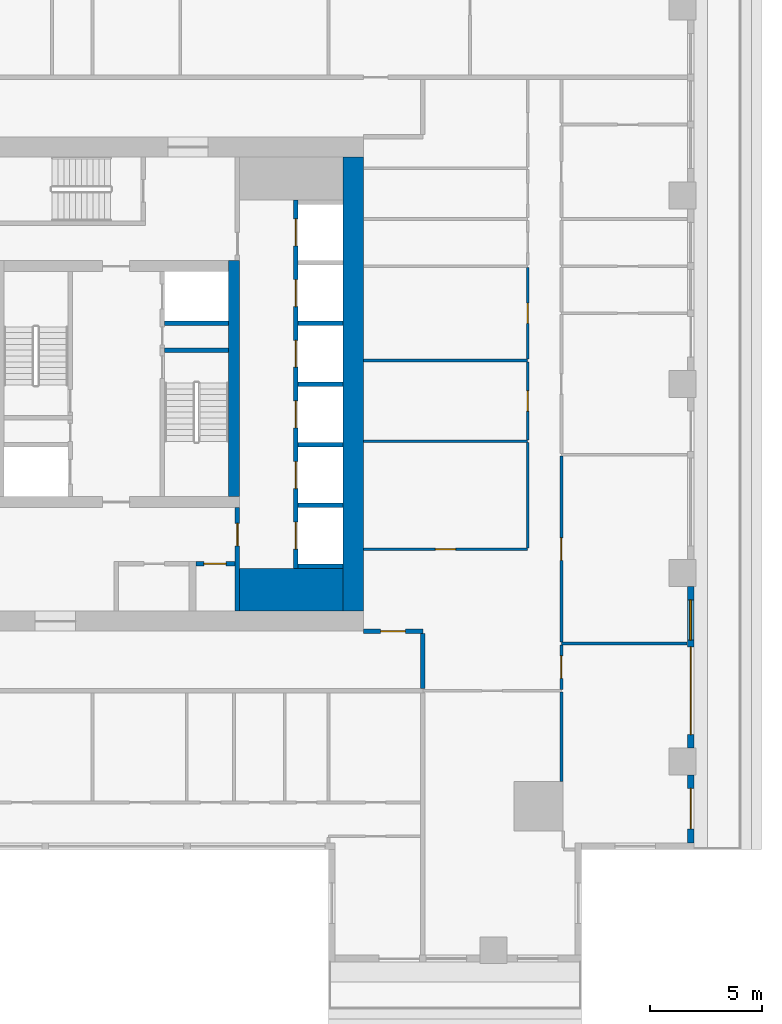
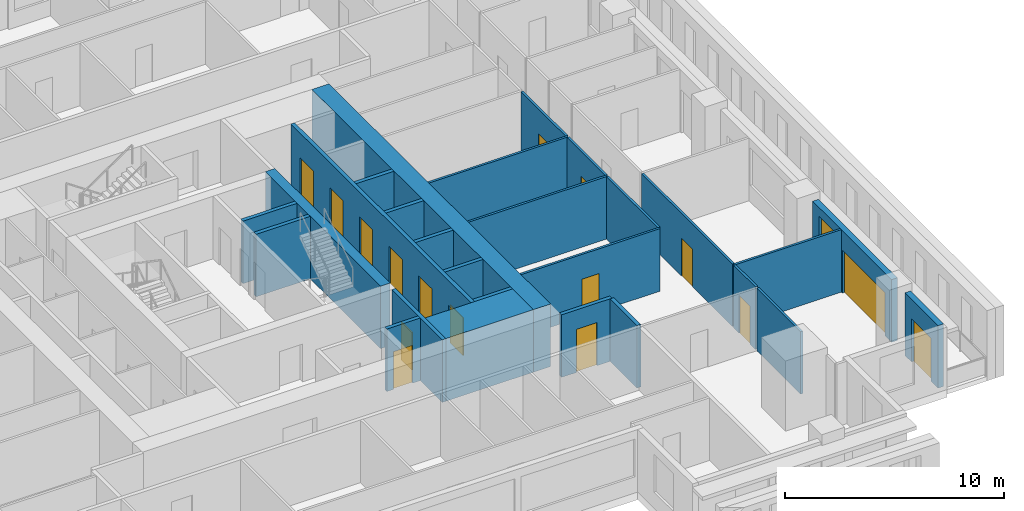
# One storey, part 5 of 14: 27 walls, 16 doors, 1 window, 17 openings.
"""IFC4 building model written with IfcOpenShell, lengths in metres."""

from ifc_helpers import new_model, si_unit, direction, frame, frame_2d, origin, place, context, subcontext, project, spatial, rectangle, extrude, material, layer, layer_set, type_object, element, fill, save


model = new_model("IFC4")

# Units and contexts
model_context = context("Model", 3, precision=1e-05, world=origin(), true_north=direction((0.0, 1.0)))
body_context = subcontext(model_context, "Body", "Model", "MODEL_VIEW")
ifc_project = project(units=[si_unit("LENGTHUNIT", "METRE"), si_unit("AREAUNIT", "SQUARE_METRE"), si_unit("VOLUMEUNIT", "CUBIC_METRE"), si_unit("PLANEANGLEUNIT", "RADIAN"), si_unit("MASSUNIT", "GRAM", prefix="KILO")], contexts=[model_context])

# Site, building, storey
site_placement = place(None, origin())
site = spatial("IfcSite", under=ifc_project, at=site_placement, CompositionType="ELEMENT")
building_placement = place(site_placement, origin())
building = spatial("IfcBuilding", under=site, at=building_placement, Name="Khepri Terraces", CompositionType="ELEMENT")
storey_placement = place(building_placement, frame((0.0, 0.0, 267.89990234375)))
storey = spatial("IfcBuildingStorey", under=building, at=storey_placement, Name="L64", CompositionType="ELEMENT", Elevation=267.89990234375)

# Walls
ifc_material_1 = material(Name="Concrete C40/50", Category="concrete")
ifc_layer_1 = layer(ifc_material_1, 1.89990234375, Name="Concrete C40/50", Category="concrete")
ifc_layer_set_1 = layer_set([ifc_layer_1], Name="Concrete C40/50")
wall_type_1 = type_object("IfcWallType", Name="Core wall 1900 C40/50", PredefinedType="SHEAR", material=ifc_layer_set_1)
wall_1_placement = place(storey_placement, frame((5.5, -9.14990234375, 0.0), z_axis=(0.0, 0.0, 1.0), x_axis=(1.0, 0.0, 0.0)))
element("IfcWall", 1, at=wall_1_placement, inside=storey, type_object=wall_type_1, Name="Core wall PR02 L64", PredefinedType="SHEAR", context=body_context, shape_type="SweptSolid", body=[
    extrude(rectangle(XDim=4.60009765625, YDim=1.89990234375, at=frame_2d((2.300048828125, 0.0))), origin(), (0.0, 0.0, 1.0), 3.47998046875),
])
ifc_layer_2 = layer(ifc_material_1, 0.199951171875, Name="Concrete C40/50", Category="concrete")
ifc_layer_set_2 = layer_set([ifc_layer_2], Name="Concrete C40/50")
wall_type_2 = type_object("IfcWallType", Name="Core wall 200 C40/50", PredefinedType="SHEAR", material=ifc_layer_set_2)
wall_2_placement = place(storey_placement, frame((2.14990234375, 1.5, 0.0), z_axis=(0.0, 0.0, 1.0), x_axis=(1.0, 0.0, 0.0)))
element("IfcWall", 2, at=wall_2_placement, inside=storey, type_object=wall_type_2, Name="Core wall ST04 L64", PredefinedType="SHEAR", context=body_context, shape_type="SweptSolid", body=[
    extrude(rectangle(XDim=2.85009765625, YDim=0.199951171875, at=frame_2d((1.425048828125, 0.0))), origin(), (0.0, 0.0, 1.0), 3.47998046875),
])

# Wall, openings, doors
wall_3_placement = place(storey_placement, frame((8.0, -8.199951171875, 0.0), z_axis=(0.0, 0.0, 1.0), x_axis=(0.0, 1.0, 0.0)))
wall_3 = element("IfcWall", 3, at=wall_3_placement, inside=storey, type_object=wall_type_2, Name="Core wall SH02 L64", PredefinedType="SHEAR", context=body_context, shape_type="SweptSolid", body=[
    extrude(rectangle(XDim=16.39990234375, YDim=0.199951171875, at=frame_2d((8.199951171875, 0.0))), origin(), (0.0, 0.0, 1.0), 3.47998046875),
])
opening_1_placement = place(wall_3_placement, frame((0.85009765625, 0.0, 0.0)))
opening_1 = element("IfcOpeningElement", 4, at=opening_1_placement, cuts=wall_3, Name="Opening L64-C01", PredefinedType="OPENING", context=body_context, shape_type="SweptSolid", body=[
    extrude(rectangle(XDim=1.199951171875, YDim=2.10009765625, at=frame_2d((0.60009765625, 1.050048828125))), frame((0.0, 0.10986328125, 0.0), z_axis=(0.0, -1.0, 0.0), x_axis=(1.0, 0.0, 0.0)), (0.0, 0.0, 1.0), 0.219970703125),
])
opening_2_placement = place(wall_3_placement, frame((3.550048828125, 0.0, 0.0)))
opening_2 = element("IfcOpeningElement", 5, at=opening_2_placement, cuts=wall_3, Name="Opening L64-C02", PredefinedType="OPENING", context=body_context, shape_type="SweptSolid", body=[
    extrude(rectangle(XDim=1.199951171875, YDim=2.10009765625, at=frame_2d((0.60009765625, 1.050048828125))), frame((0.0, 0.10986328125, 0.0), z_axis=(0.0, -1.0, 0.0), x_axis=(1.0, 0.0, 0.0)), (0.0, 0.0, 1.0), 0.219970703125),
])
opening_3_placement = place(wall_3_placement, frame((6.25, 0.0, 0.0)))
opening_3 = element("IfcOpeningElement", 6, at=opening_3_placement, cuts=wall_3, Name="Opening L64-C03", PredefinedType="OPENING", context=body_context, shape_type="SweptSolid", body=[
    extrude(rectangle(XDim=1.199951171875, YDim=2.10009765625, at=frame_2d((0.60009765625, 1.050048828125))), frame((0.0, 0.10986328125, 0.0), z_axis=(0.0, -1.0, 0.0), x_axis=(1.0, 0.0, 0.0)), (0.0, 0.0, 1.0), 0.219970703125),
])
opening_4_placement = place(wall_3_placement, frame((8.949951171875, 0.0, 0.0)))
opening_4 = element("IfcOpeningElement", 7, at=opening_4_placement, cuts=wall_3, Name="Opening L64-C04", PredefinedType="OPENING", context=body_context, shape_type="SweptSolid", body=[
    extrude(rectangle(XDim=1.199951171875, YDim=2.10009765625, at=frame_2d((0.60009765625, 1.050048828125))), frame((0.0, 0.10986328125, 0.0), z_axis=(0.0, -1.0, 0.0), x_axis=(1.0, 0.0, 0.0)), (0.0, 0.0, 1.0), 0.219970703125),
])
opening_5_placement = place(wall_3_placement, frame((11.64990234375, 0.0, 0.0)))
opening_5 = element("IfcOpeningElement", 8, at=opening_5_placement, cuts=wall_3, Name="Opening L64-C05", PredefinedType="OPENING", context=body_context, shape_type="SweptSolid", body=[
    extrude(rectangle(XDim=1.199951171875, YDim=2.10009765625, at=frame_2d((0.60009765625, 1.050048828125))), frame((0.0, 0.10986328125, 0.0), z_axis=(0.0, -1.0, 0.0), x_axis=(1.0, 0.0, 0.0)), (0.0, 0.0, 1.0), 0.219970703125),
])
opening_6_placement = place(wall_3_placement, frame((14.35009765625, 0.0, 0.0)))
opening_6 = element("IfcOpeningElement", 9, at=opening_6_placement, cuts=wall_3, Name="Opening L64-C06", PredefinedType="OPENING", context=body_context, shape_type="SweptSolid", body=[
    extrude(rectangle(XDim=1.199951171875, YDim=2.10009765625, at=frame_2d((0.60009765625, 1.050048828125))), frame((0.0, 0.10986328125, 0.0), z_axis=(0.0, -1.0, 0.0), x_axis=(1.0, 0.0, 0.0)), (0.0, 0.0, 1.0), 0.219970703125),
])
ifc_material_2 = material(Name="Stainless steel 304", Category="steel")
door_type_1 = type_object("IfcDoorType", Name="DR-CORE-LANDING-1200", OperationType="NOTDEFINED", PredefinedType="DOOR", material=ifc_material_2)
door_1_placement = place(opening_1_placement, origin())
door_1 = element("IfcDoor", 10, at=door_1_placement, inside=storey, type_object=door_type_1, Name="Lift landing door L64-C01", OperationType="SLIDING_TO_LEFT", OverallHeight=2.10009765625, OverallWidth=1.199951171875, PredefinedType="DOOR", context=body_context, shape_type="SweptSolid", body=[
    extrude(rectangle(XDim=1.199951171875, YDim=2.10009765625, at=frame_2d((0.60009765625, 1.050048828125))), frame((0.0, 0.02490234375, 0.0), z_axis=(0.0, -1.0, 0.0), x_axis=(1.0, 0.0, 0.0)), (0.0, 0.0, 1.0), 0.050048828125),
])
fill(opening_1, door_1)
door_2_placement = place(opening_2_placement, origin())
door_2 = element("IfcDoor", 11, at=door_2_placement, inside=storey, type_object=door_type_1, Name="Lift landing door L64-C02", OperationType="SLIDING_TO_LEFT", OverallHeight=2.10009765625, OverallWidth=1.199951171875, PredefinedType="DOOR", context=body_context, shape_type="SweptSolid", body=[
    extrude(rectangle(XDim=1.199951171875, YDim=2.10009765625, at=frame_2d((0.60009765625, 1.050048828125))), frame((0.0, 0.02490234375, 0.0), z_axis=(0.0, -1.0, 0.0), x_axis=(1.0, 0.0, 0.0)), (0.0, 0.0, 1.0), 0.050048828125),
])
fill(opening_2, door_2)
door_3_placement = place(opening_3_placement, origin())
door_3 = element("IfcDoor", 12, at=door_3_placement, inside=storey, type_object=door_type_1, Name="Lift landing door L64-C03", OperationType="SLIDING_TO_LEFT", OverallHeight=2.10009765625, OverallWidth=1.199951171875, PredefinedType="DOOR", context=body_context, shape_type="SweptSolid", body=[
    extrude(rectangle(XDim=1.199951171875, YDim=2.10009765625, at=frame_2d((0.60009765625, 1.050048828125))), frame((0.0, 0.02490234375, 0.0), z_axis=(0.0, -1.0, 0.0), x_axis=(1.0, 0.0, 0.0)), (0.0, 0.0, 1.0), 0.050048828125),
])
fill(opening_3, door_3)
door_4_placement = place(opening_4_placement, origin())
door_4 = element("IfcDoor", 13, at=door_4_placement, inside=storey, type_object=door_type_1, Name="Lift landing door L64-C04", OperationType="SLIDING_TO_LEFT", OverallHeight=2.10009765625, OverallWidth=1.199951171875, PredefinedType="DOOR", context=body_context, shape_type="SweptSolid", body=[
    extrude(rectangle(XDim=1.199951171875, YDim=2.10009765625, at=frame_2d((0.60009765625, 1.050048828125))), frame((0.0, 0.02490234375, 0.0), z_axis=(0.0, -1.0, 0.0), x_axis=(1.0, 0.0, 0.0)), (0.0, 0.0, 1.0), 0.050048828125),
])
fill(opening_4, door_4)
door_5_placement = place(opening_5_placement, origin())
door_5 = element("IfcDoor", 14, at=door_5_placement, inside=storey, type_object=door_type_1, Name="Lift landing door L64-C05", OperationType="SLIDING_TO_LEFT", OverallHeight=2.10009765625, OverallWidth=1.199951171875, PredefinedType="DOOR", context=body_context, shape_type="SweptSolid", body=[
    extrude(rectangle(XDim=1.199951171875, YDim=2.10009765625, at=frame_2d((0.60009765625, 1.050048828125))), frame((0.0, 0.02490234375, 0.0), z_axis=(0.0, -1.0, 0.0), x_axis=(1.0, 0.0, 0.0)), (0.0, 0.0, 1.0), 0.050048828125),
])
fill(opening_5, door_5)
door_6_placement = place(opening_6_placement, origin())
door_6 = element("IfcDoor", 15, at=door_6_placement, inside=storey, type_object=door_type_1, Name="Lift landing door L64-C06", OperationType="SLIDING_TO_LEFT", OverallHeight=2.10009765625, OverallWidth=1.199951171875, PredefinedType="DOOR", context=body_context, shape_type="SweptSolid", body=[
    extrude(rectangle(XDim=1.199951171875, YDim=2.10009765625, at=frame_2d((0.60009765625, 1.050048828125))), frame((0.0, 0.02490234375, 0.0), z_axis=(0.0, -1.0, 0.0), x_axis=(1.0, 0.0, 0.0)), (0.0, 0.0, 1.0), 0.050048828125),
])
fill(opening_6, door_6)

# Walls
for number, where, z_axis, x_axis, name in (
    (16, (8.10009765625, -8.10009765625, 0.0), (0.0, 0.0, 1.0), (1.0, 0.0, 0.0), "Core wall SH03 L64"),
    (17, (8.10009765625, -5.39990234375, 0.0), (0.0, 0.0, 1.0), (1.0, 0.0, 0.0), "Core wall SH04 L64"),
    (18, (8.10009765625, -2.699951171875, 0.0), (0.0, 0.0, 1.0), (1.0, 0.0, 0.0), "Core wall SH08 L64"),
    (19, (8.10009765625, 0.0, 0.0), (0.0, 0.0, 1.0), (1.0, 0.0, 0.0), "Core wall SH09 L64"),
):
    element("IfcWall", number, at=place(storey_placement, frame(where, z_axis=z_axis, x_axis=x_axis)), inside=storey, type_object=wall_type_2, Name=name, PredefinedType="SHEAR", context=body_context, shape_type="SweptSolid", body=[
        extrude(rectangle(XDim=2.0, YDim=0.199951171875, at=frame_2d((1.0, 0.0))), origin(), (0.0, 0.0, 1.0), 3.47998046875),
    ])
wall_4_placement = place(storey_placement, frame((2.14990234375, 2.699951171875, 0.0), z_axis=(0.0, 0.0, 1.0), x_axis=(1.0, 0.0, 0.0)))
element("IfcWall", 20, at=wall_4_placement, inside=storey, type_object=wall_type_2, Name="Core wall SH12 L64", PredefinedType="SHEAR", context=body_context, shape_type="SweptSolid", body=[
    extrude(rectangle(XDim=2.85009765625, YDim=0.199951171875, at=frame_2d((1.425048828125, 0.0))), origin(), (0.0, 0.0, 1.0), 3.47998046875),
])
wall_5_placement = place(storey_placement, frame((8.10009765625, 2.699951171875, 0.0), z_axis=(0.0, 0.0, 1.0), x_axis=(1.0, 0.0, 0.0)))
element("IfcWall", 21, at=wall_5_placement, inside=storey, type_object=wall_type_2, Name="Core wall SH13 L64", PredefinedType="SHEAR", context=body_context, shape_type="SweptSolid", body=[
    extrude(rectangle(XDim=2.0, YDim=0.199951171875, at=frame_2d((1.0, 0.0))), origin(), (0.0, 0.0, 1.0), 3.47998046875),
])
ifc_layer_3 = layer(ifc_material_1, 0.5, Name="Concrete C40/50", Category="concrete")
ifc_layer_set_3 = layer_set([ifc_layer_3], Name="Concrete C40/50")
wall_type_3 = type_object("IfcWallType", Name="Core wall 500 C40/50", PredefinedType="SHEAR", material=ifc_layer_set_3)
wall_6_placement = place(storey_placement, frame((5.25, -5.0, 0.0), z_axis=(0.0, 0.0, 1.0), x_axis=(0.0, 1.0, 0.0)))
element("IfcWall", 22, at=wall_6_placement, inside=storey, type_object=wall_type_3, Name="Core wall BX03 L64", PredefinedType="SHEAR", context=body_context, shape_type="SweptSolid", body=[
    extrude(rectangle(XDim=10.5, YDim=0.5, at=frame_2d((5.25, 0.0))), origin(), (0.0, 0.0, 1.0), 3.47998046875),
])
ifc_layer_4 = layer(ifc_material_1, 0.89990234375, Name="Concrete C40/50", Category="concrete")
ifc_layer_set_4 = layer_set([ifc_layer_4], Name="Concrete C40/50")
wall_type_4 = type_object("IfcWallType", Name="Core wall 900 C40/50", PredefinedType="SHEAR", material=ifc_layer_set_4)
wall_7_placement = place(storey_placement, frame((10.550048828125, -10.10009765625, 0.0), z_axis=(0.0, 0.0, 1.0), x_axis=(0.0, 1.0, 0.0)))
element("IfcWall", 23, at=wall_7_placement, inside=storey, type_object=wall_type_4, Name="Core wall OW-E L64", PredefinedType="SHEAR", context=body_context, shape_type="SweptSolid", body=[
    extrude(rectangle(XDim=20.2001953125, YDim=0.89990234375, at=frame_2d((10.10009765625, 0.0))), origin(), (0.0, 0.0, 1.0), 3.47998046875),
])

# Wall, opening, door
ifc_material_3 = material(Name="Fire-rated gypsum board partition")
ifc_layer_5 = layer(ifc_material_3, 0.199951171875, Name="Fire-rated gypsum board partition")
ifc_layer_set_5 = layer_set([ifc_layer_5], Name="Fire-rated gypsum board partition")
wall_type_5 = type_object("IfcWallType", Name="WL-CORE-PART-200", PredefinedType="PARTITIONING", material=ifc_layer_set_5)
wall_8_placement = place(storey_placement, frame((5.39990234375, -10.10009765625, 0.0), z_axis=(0.0, 0.0, 1.0), x_axis=(0.0, 1.0, 0.0)))
wall_8 = element("IfcWall", 24, at=wall_8_placement, inside=storey, type_object=wall_type_5, Name="Core partition PT04 L64", PredefinedType="PARTITIONING", context=body_context, shape_type="SweptSolid", body=[
    extrude(rectangle(XDim=4.60009765625, YDim=0.199951171875, at=frame_2d((2.300048828125, 0.0))), origin(), (0.0, 0.0, 1.0), 3.47998046875),
])
opening_7_placement = place(wall_8_placement, frame((2.89990234375, 0.0, 0.0)))
opening_7 = element("IfcOpeningElement", 25, at=opening_7_placement, cuts=wall_8, Name="Opening L64-C19", PredefinedType="OPENING", context=body_context, shape_type="SweptSolid", body=[
    extrude(rectangle(XDim=1.0, YDim=2.10009765625, at=frame_2d((0.5, 1.050048828125))), frame((0.0, 0.10986328125, 0.0), z_axis=(0.0, -1.0, 0.0), x_axis=(1.0, 0.0, 0.0)), (0.0, 0.0, 1.0), 0.219970703125),
])
ifc_material_4 = material(Name="Painted steel", Category="steel")
door_type_2 = type_object("IfcDoorType", Name="DR-CORE-LOBBY-1000", OperationType="NOTDEFINED", PredefinedType="DOOR", material=ifc_material_4)
door_7_placement = place(opening_7_placement, origin())
door_7 = element("IfcDoor", 26, at=door_7_placement, inside=storey, type_object=door_type_2, Name="Lobby door L64-C19", OperationType="SINGLE_SWING_RIGHT", OverallHeight=2.10009765625, OverallWidth=1.0, PredefinedType="DOOR", context=body_context, shape_type="SweptSolid", body=[
    extrude(rectangle(XDim=1.0, YDim=2.10009765625, at=frame_2d((0.5, 1.050048828125))), frame((0.0, 0.02490234375, 0.0), z_axis=(0.0, -1.0, 0.0), x_axis=(1.0, 0.0, 0.0)), (0.0, 0.0, 1.0), 0.050048828125),
])
fill(opening_7, door_7)

wall_9_placement = place(storey_placement, frame((3.550048828125, -8.0, 0.0), z_axis=(0.0, 0.0, 1.0), x_axis=(1.0, 0.0, 0.0)))
wall_9 = element("IfcWall", 27, at=wall_9_placement, inside=storey, type_object=wall_type_5, Name="Core partition PT07 L64", PredefinedType="PARTITIONING", context=body_context, shape_type="SweptSolid", body=[
    extrude(rectangle(XDim=1.75, YDim=0.199951171875, at=frame_2d((0.875, 0.0))), origin(), (0.0, 0.0, 1.0), 3.47998046875),
])
opening_8_placement = place(wall_9_placement, frame((0.35009765625, 0.0, 0.0)))
opening_8 = element("IfcOpeningElement", 28, at=opening_8_placement, cuts=wall_9, Name="Opening L64-C23", PredefinedType="OPENING", context=body_context, shape_type="SweptSolid", body=[
    extrude(rectangle(XDim=1.0, YDim=2.10009765625, at=frame_2d((0.5, 1.050048828125))), frame((0.0, 0.10986328125, 0.0), z_axis=(0.0, -1.0, 0.0), x_axis=(1.0, 0.0, 0.0)), (0.0, 0.0, 1.0), 0.219970703125),
])
ifc_material_5 = material(Name="Timber veneer", Category="wood")
door_type_3 = type_object("IfcDoorType", Name="DR-CORE-WC-1000", OperationType="NOTDEFINED", PredefinedType="DOOR", material=ifc_material_5)
door_8_placement = place(opening_8_placement, frame((1.0, 0.0, 0.0), z_axis=(0.0, 0.0, 1.0), x_axis=(-1.0, 0.0, 0.0)))
door_8 = element("IfcDoor", 29, at=door_8_placement, inside=storey, type_object=door_type_3, Name="WC door L64-C23", OperationType="SINGLE_SWING_RIGHT", OverallHeight=2.10009765625, OverallWidth=1.0, PredefinedType="DOOR", context=body_context, shape_type="SweptSolid", body=[
    extrude(rectangle(XDim=1.0, YDim=2.10009765625, at=frame_2d((0.5, 1.050048828125))), frame((0.0, 0.02490234375, 0.0), z_axis=(0.0, -1.0, 0.0), x_axis=(1.0, 0.0, 0.0)), (0.0, 0.0, 1.0), 0.050048828125),
])
fill(opening_8, door_8)

# Wall
ifc_material_6 = material(Name="Fire-rated gypsum plasterboard partition, mineral wool")
ifc_layer_6 = layer(ifc_material_6, 0.199951171875, Name="Fire-rated gypsum plasterboard partition, mineral wool")
ifc_layer_set_6 = layer_set([ifc_layer_6], Name="Fire-rated gypsum plasterboard partition, mineral wool")
wall_type_6 = type_object("IfcWallType", Name="WL-CORR-200", PredefinedType="PARTITIONING", material=ifc_layer_set_6)
wall_10_placement = place(storey_placement, frame((13.64990234375, -13.550048828125, 0.0), z_axis=(0.0, 0.0, 1.0), x_axis=(0.0, 1.0, 0.0)))
element("IfcWall", 30, at=wall_10_placement, inside=storey, type_object=wall_type_6, Name="Partition P-024 L64", PredefinedType="PARTITIONING", context=body_context, shape_type="SweptSolid", body=[
    extrude(rectangle(XDim=2.449951171875, YDim=0.199951171875, at=frame_2d((1.22509765625, 0.0))), origin(), (0.0, 0.0, 1.0), 3.47998046875),
])

# Wall, opening, door
wall_11_placement = place(storey_placement, frame((11.0, -11.0, 0.0), z_axis=(0.0, 0.0, 1.0), x_axis=(1.0, 0.0, 0.0)))
wall_11 = element("IfcWall", 31, at=wall_11_placement, inside=storey, type_object=wall_type_6, Name="Partition P-032 L64", PredefinedType="PARTITIONING", context=body_context, shape_type="SweptSolid", body=[
    extrude(rectangle(XDim=2.64990234375, YDim=0.199951171875, at=frame_2d((1.324951171875, 0.0))), origin(), (0.0, 0.0, 1.0), 3.47998046875),
])
opening_9_placement = place(wall_11_placement, frame((0.77490234375, 0.0, 0.0)))
opening_9 = element("IfcOpeningElement", 32, at=opening_9_placement, cuts=wall_11, Name="Opening D1", PredefinedType="OPENING", context=body_context, shape_type="SweptSolid", body=[
    extrude(rectangle(XDim=1.10009765625, YDim=2.39990234375, at=frame_2d((0.550048828125, 1.199951171875))), frame((0.0, 0.10986328125, 0.0), z_axis=(0.0, -1.0, 0.0), x_axis=(1.0, 0.0, 0.0)), (0.0, 0.0, 1.0), 0.219970703125),
])
ifc_material_7 = material(Name="Solid-core timber door leaf, flat entrance door", Category="wood")
door_type_4 = type_object("IfcDoorType", Name="DR-ENT-1100", OperationType="NOTDEFINED", PredefinedType="DOOR", material=ifc_material_7)
door_9_placement = place(opening_9_placement, origin())
door_9 = element("IfcDoor", 33, at=door_9_placement, inside=storey, type_object=door_type_4, Name="Flat B1 entrance door", OperationType="SINGLE_SWING_LEFT", OverallHeight=2.39990234375, OverallWidth=1.10009765625, PredefinedType="DOOR", context=body_context, shape_type="SweptSolid", body=[
    extrude(rectangle(XDim=1.10009765625, YDim=2.39990234375, at=frame_2d((0.550048828125, 1.199951171875))), frame((0.0, 0.02490234375, 0.0), z_axis=(0.0, -1.0, 0.0), x_axis=(1.0, 0.0, 0.0)), (0.0, 0.0, 1.0), 0.050048828125),
])
fill(opening_9, door_9)

ifc_material_8 = material(Name="Precast concrete C50/60 warm stone", Category="masonry")
ifc_layer_7 = layer(ifc_material_8, 0.300048828125, Name="Precast concrete C50/60 warm stone", Category="masonry")
ifc_layer_set_7 = layer_set([ifc_layer_7], Name="Precast concrete C50/60 warm stone")
wall_type_7 = type_object("IfcWallType", Name="WL-EXT-PRECAST-300", PredefinedType="STANDARD", material=ifc_layer_set_7)
wall_12_placement = place(storey_placement, frame((25.570068359375, -20.419921875, 0.0), z_axis=(0.0, 0.0, 1.0), x_axis=(0.0, 1.0, 0.0)))
wall_12 = element("IfcWall", 34, at=wall_12_placement, inside=storey, type_object=wall_type_7, Name="External wall L64 E", PredefinedType="STANDARD", context=body_context, shape_type="SweptSolid", body=[
    extrude(rectangle(XDim=3.02001953125, YDim=0.300048828125, at=frame_2d((1.510009765625, 0.0))), origin(), (0.0, 0.0, 1.0), 3.47998046875),
])
opening_10_placement = place(wall_12_placement, frame((0.6201171875, 0.0, 0.0)))
opening_10 = element("IfcOpeningElement", 35, at=opening_10_placement, cuts=wall_12, Name="Opening ED-L64-01", PredefinedType="OPENING", context=body_context, shape_type="SweptSolid", body=[
    extrude(rectangle(XDim=1.800048828125, YDim=2.39990234375, at=frame_2d((0.89990234375, 1.199951171875))), frame((0.0, 0.16015625, 0.0), z_axis=(0.0, -1.0, 0.0), x_axis=(1.0, 0.0, 0.0)), (0.0, 0.0, 1.0), 0.320068359375),
])
ifc_material_9 = material(Name="Anodised aluminium bronze glazed door", Category="aluminium")
door_type_5 = type_object("IfcDoorType", Name="DR-BAL-SLIDE-1800x2400", OperationType="NOTDEFINED", PredefinedType="DOOR", material=ifc_material_9)
door_10_placement = place(opening_10_placement, origin())
door_10 = element("IfcDoor", 36, at=door_10_placement, inside=storey, type_object=door_type_5, Name="Balcony door L64 E", OperationType="SLIDING_TO_RIGHT", OverallHeight=2.39990234375, OverallWidth=1.800048828125, PredefinedType="DOOR", context=body_context, shape_type="SweptSolid", body=[
    extrude(rectangle(XDim=1.800048828125, YDim=2.39990234375, at=frame_2d((0.89990234375, 1.199951171875))), frame((0.0, 0.02490234375, 0.0), z_axis=(0.0, -1.0, 0.0), x_axis=(1.0, 0.0, 0.0)), (0.0, 0.0, 1.0), 0.050048828125),
])
fill(opening_10, door_10)

# Wall, openings, door, window
wall_13_placement = place(storey_placement, frame((25.570068359375, -16.199951171875, 0.0), z_axis=(0.0, 0.0, 1.0), x_axis=(0.0, 1.0, 0.0)))
wall_13 = element("IfcWall", 37, at=wall_13_placement, inside=storey, type_object=wall_type_7, Name="External wall L64 E", PredefinedType="STANDARD", context=body_context, shape_type="SweptSolid", body=[
    extrude(rectangle(XDim=7.199951171875, YDim=0.300048828125, at=frame_2d((3.60009765625, 0.0))), origin(), (0.0, 0.0, 1.0), 3.47998046875),
])
opening_11_placement = place(wall_13_placement, frame((0.60009765625, 0.0, 0.0)))
opening_11 = element("IfcOpeningElement", 38, at=opening_11_placement, cuts=wall_13, Name="Opening ED-L64-02", PredefinedType="OPENING", context=body_context, shape_type="SweptSolid", body=[
    extrude(rectangle(XDim=3.89990234375, YDim=2.39990234375, at=frame_2d((1.949951171875, 1.199951171875))), frame((0.0, 0.16015625, 0.0), z_axis=(0.0, -1.0, 0.0), x_axis=(1.0, 0.0, 0.0)), (0.0, 0.0, 1.0), 0.320068359375),
])
opening_12_placement = place(wall_13_placement, frame((4.800048828125, 0.0, 0.89990234375)))
opening_12 = element("IfcOpeningElement", 39, at=opening_12_placement, cuts=wall_13, Name="Opening W1", PredefinedType="OPENING", context=body_context, shape_type="SweptSolid", body=[
    extrude(rectangle(XDim=1.800048828125, YDim=2.10009765625, at=frame_2d((0.89990234375, 1.050048828125))), frame((0.0, 0.16015625, 0.0), z_axis=(0.0, -1.0, 0.0), x_axis=(1.0, 0.0, 0.0)), (0.0, 0.0, 1.0), 0.320068359375),
])
door_type_6 = type_object("IfcDoorType", Name="DR-BAL-SLIDE-3900x2400", OperationType="NOTDEFINED", PredefinedType="DOOR", material=ifc_material_9)
door_11_placement = place(opening_11_placement, origin())
door_11 = element("IfcDoor", 40, at=door_11_placement, inside=storey, type_object=door_type_6, Name="Balcony door L64 E", OperationType="SLIDING_TO_LEFT", OverallHeight=2.39990234375, OverallWidth=3.89990234375, PredefinedType="DOOR", context=body_context, shape_type="SweptSolid", body=[
    extrude(rectangle(XDim=3.89990234375, YDim=2.39990234375, at=frame_2d((1.949951171875, 1.199951171875))), frame((0.0, 0.02490234375, 0.0), z_axis=(0.0, -1.0, 0.0), x_axis=(1.0, 0.0, 0.0)), (0.0, 0.0, 1.0), 0.050048828125),
])
fill(opening_11, door_11)
ifc_material_10 = material(Name="Clear glass", Category="glass")
window_type = type_object("IfcWindowType", Name="WIN-RES-1800x2100", PartitioningType="SINGLE_PANEL", PredefinedType="WINDOW", material=ifc_material_10)
window_placement = place(opening_12_placement, origin())
window = element("IfcWindow", 41, at=window_placement, inside=storey, type_object=window_type, Name="Window L64 E", OverallHeight=2.10009765625, OverallWidth=1.800048828125, PartitioningType="SINGLE_PANEL", PredefinedType="WINDOW", context=body_context, shape_type="SweptSolid", body=[
    extrude(rectangle(XDim=1.800048828125, YDim=2.10009765625, at=frame_2d((0.89990234375, 1.050048828125))), frame((0.0, 0.030029296875, 0.0), z_axis=(0.0, -1.0, 0.0), x_axis=(1.0, 0.0, 0.0)), (0.0, 0.0, 1.0), 0.06005859375),
])
fill(opening_12, window)

# Wall
ifc_material_11 = material(Name="Gypsum plasterboard partition")
ifc_layer_8 = layer(ifc_material_11, 0.1201171875, Name="Gypsum plasterboard partition")
ifc_layer_set_8 = layer_set([ifc_layer_8], Name="Gypsum plasterboard partition")
wall_type_8 = type_object("IfcWallType", Name="WL-PART-120", PredefinedType="PARTITIONING", material=ifc_layer_set_8)
wall_14_placement = place(storey_placement, frame((19.820068359375, -17.699951171875, 0.0), z_axis=(0.0, 0.0, 1.0), x_axis=(0.0, 1.0, 0.0)))
element("IfcWall", 42, at=wall_14_placement, inside=storey, type_object=wall_type_8, Name="Partition P-017 L64", PredefinedType="PARTITIONING", context=body_context, shape_type="SweptSolid", body=[
    extrude(rectangle(XDim=3.989990234375, YDim=0.1201171875, at=frame_2d((1.9951171875, 0.0))), origin(), (0.0, 0.0, 1.0), 3.47998046875),
])

# Wall, opening, door
wall_15_placement = place(storey_placement, frame((19.820068359375, -13.590087890625, 0.0), z_axis=(0.0, 0.0, 1.0), x_axis=(0.0, 1.0, 0.0)))
wall_15 = element("IfcWall", 43, at=wall_15_placement, inside=storey, type_object=wall_type_8, Name="Partition P-020 L64", PredefinedType="PARTITIONING", context=body_context, shape_type="SweptSolid", body=[
    extrude(rectangle(XDim=1.97998046875, YDim=0.1201171875, at=frame_2d((0.989990234375, 0.0))), origin(), (0.0, 0.0, 1.0), 3.47998046875),
])
opening_13_placement = place(wall_15_placement, frame((0.489990234375, 0.0, 0.0)))
opening_13 = element("IfcOpeningElement", 44, at=opening_13_placement, cuts=wall_15, Name="Opening D2", PredefinedType="OPENING", context=body_context, shape_type="SweptSolid", body=[
    extrude(rectangle(XDim=1.0, YDim=2.10009765625, at=frame_2d((0.5, 1.050048828125))), frame((0.0, 0.070068359375, 0.0), z_axis=(0.0, -1.0, 0.0), x_axis=(1.0, 0.0, 0.0)), (0.0, 0.0, 1.0), 0.14013671875),
])
ifc_material_12 = material(Name="Timber door leaf, living room door", Category="wood")
door_type_7 = type_object("IfcDoorType", Name="DR-INT-1000", OperationType="NOTDEFINED", PredefinedType="DOOR", material=ifc_material_12)
door_12_placement = place(opening_13_placement, frame((1.0, 0.0, 0.0), z_axis=(0.0, 0.0, 1.0), x_axis=(-1.0, 0.0, 0.0)))
door_12 = element("IfcDoor", 45, at=door_12_placement, inside=storey, type_object=door_type_7, Name="Door Living Room", OperationType="SINGLE_SWING_RIGHT", OverallHeight=2.10009765625, OverallWidth=1.0, PredefinedType="DOOR", context=body_context, shape_type="SweptSolid", body=[
    extrude(rectangle(XDim=1.0, YDim=2.10009765625, at=frame_2d((0.5, 1.050048828125))), frame((0.0, 0.02490234375, 0.0), z_axis=(0.0, -1.0, 0.0), x_axis=(1.0, 0.0, 0.0)), (0.0, 0.0, 1.0), 0.050048828125),
])
fill(opening_13, door_12)

# Wall
wall_16_placement = place(storey_placement, frame((19.820068359375, -11.550048828125, 0.0), z_axis=(0.0, 0.0, 1.0), x_axis=(1.0, 0.0, 0.0)))
element("IfcWall", 46, at=wall_16_placement, inside=storey, type_object=wall_type_8, Name="Partition P-027 L64", PredefinedType="PARTITIONING", context=body_context, shape_type="SweptSolid", body=[
    extrude(rectangle(XDim=5.599853515625, YDim=0.1201171875, at=frame_2d((2.7998046875, 0.0))), origin(), (0.0, 0.0, 1.0), 3.47998046875),
])

# Wall, opening, door
wall_17_placement = place(storey_placement, frame((19.820068359375, -11.489990234375, 0.0), z_axis=(0.0, 0.0, 1.0), x_axis=(0.0, 1.0, 0.0)))
wall_17 = element("IfcWall", 47, at=wall_17_placement, inside=storey, type_object=wall_type_8, Name="Partition P-030 L64", PredefinedType="PARTITIONING", context=body_context, shape_type="SweptSolid", body=[
    extrude(rectangle(XDim=8.280029296875, YDim=0.1201171875, at=frame_2d((4.14013671875, 0.0))), origin(), (0.0, 0.0, 1.0), 3.47998046875),
])
opening_14_placement = place(wall_17_placement, frame((3.639892578125, 0.0, 0.0)))
opening_14 = element("IfcOpeningElement", 48, at=opening_14_placement, cuts=wall_17, Name="Opening D2", PredefinedType="OPENING", context=body_context, shape_type="SweptSolid", body=[
    extrude(rectangle(XDim=1.0, YDim=2.10009765625, at=frame_2d((0.5, 1.050048828125))), frame((0.0, 0.070068359375, 0.0), z_axis=(0.0, -1.0, 0.0), x_axis=(1.0, 0.0, 0.0)), (0.0, 0.0, 1.0), 0.14013671875),
])
door_13_placement = place(opening_14_placement, frame((1.0, 0.0, 0.0), z_axis=(0.0, 0.0, 1.0), x_axis=(-1.0, 0.0, 0.0)))
door_13 = element("IfcDoor", 49, at=door_13_placement, inside=storey, type_object=door_type_7, Name="Door Dining Room", OperationType="SINGLE_SWING_RIGHT", OverallHeight=2.10009765625, OverallWidth=1.0, PredefinedType="DOOR", context=body_context, shape_type="SweptSolid", body=[
    extrude(rectangle(XDim=1.0, YDim=2.10009765625, at=frame_2d((0.5, 1.050048828125))), frame((0.0, 0.02490234375, 0.0), z_axis=(0.0, -1.0, 0.0), x_axis=(1.0, 0.0, 0.0)), (0.0, 0.0, 1.0), 0.050048828125),
])
fill(opening_14, door_13)

wall_18_placement = place(storey_placement, frame((11.0, -7.35009765625, 0.0), z_axis=(0.0, 0.0, 1.0), x_axis=(1.0, 0.0, 0.0)))
wall_18 = element("IfcWall", 50, at=wall_18_placement, inside=storey, type_object=wall_type_8, Name="Partition P-034 L64", PredefinedType="PARTITIONING", context=body_context, shape_type="SweptSolid", body=[
    extrude(rectangle(XDim=7.320068359375, YDim=0.1201171875, at=frame_2d((3.66015625, 0.0))), origin(), (0.0, 0.0, 1.0), 3.47998046875),
])
opening_15_placement = place(wall_18_placement, frame((3.2099609375, 0.0, 0.0)))
opening_15 = element("IfcOpeningElement", 51, at=opening_15_placement, cuts=wall_18, Name="Opening D3", PredefinedType="OPENING", context=body_context, shape_type="SweptSolid", body=[
    extrude(rectangle(XDim=0.89990234375, YDim=2.10009765625, at=frame_2d((0.449951171875, 1.050048828125))), frame((0.0, 0.070068359375, 0.0), z_axis=(0.0, -1.0, 0.0), x_axis=(1.0, 0.0, 0.0)), (0.0, 0.0, 1.0), 0.14013671875),
])
ifc_material_13 = material(Name="Timber door leaf", Category="wood")
door_type_8 = type_object("IfcDoorType", Name="DR-INT-900", OperationType="NOTDEFINED", PredefinedType="DOOR", material=ifc_material_13)
door_14_placement = place(opening_15_placement, origin())
door_14 = element("IfcDoor", 52, at=door_14_placement, inside=storey, type_object=door_type_8, Name="Door Kitchen", OperationType="SINGLE_SWING_RIGHT", OverallHeight=2.10009765625, OverallWidth=0.89990234375, PredefinedType="DOOR", context=body_context, shape_type="SweptSolid", body=[
    extrude(rectangle(XDim=0.89990234375, YDim=2.10009765625, at=frame_2d((0.449951171875, 1.050048828125))), frame((0.0, 0.02490234375, 0.0), z_axis=(0.0, -1.0, 0.0), x_axis=(1.0, 0.0, 0.0)), (0.0, 0.0, 1.0), 0.050048828125),
])
fill(opening_15, door_14)

# Walls
wall_19_placement = place(storey_placement, frame((18.320068359375, -7.2900390625, 0.0), z_axis=(0.0, 0.0, 1.0), x_axis=(0.0, 1.0, 0.0)))
element("IfcWall", 53, at=wall_19_placement, inside=storey, type_object=wall_type_8, Name="Partition P-036 L64", PredefinedType="PARTITIONING", context=body_context, shape_type="SweptSolid", body=[
    extrude(rectangle(XDim=4.679931640625, YDim=0.1201171875, at=frame_2d((2.33984375, 0.0))), origin(), (0.0, 0.0, 1.0), 3.47998046875),
])
wall_20_placement = place(storey_placement, frame((11.0, -2.550048828125, 0.0), z_axis=(0.0, 0.0, 1.0), x_axis=(1.0, 0.0, 0.0)))
element("IfcWall", 54, at=wall_20_placement, inside=storey, type_object=wall_type_8, Name="Partition P-045 L64", PredefinedType="PARTITIONING", context=body_context, shape_type="SweptSolid", body=[
    extrude(rectangle(XDim=7.320068359375, YDim=0.1201171875, at=frame_2d((3.66015625, 0.0))), origin(), (0.0, 0.0, 1.0), 3.47998046875),
])

# Wall, opening, door
wall_21_placement = place(storey_placement, frame((18.320068359375, -2.489990234375, 0.0), z_axis=(0.0, 0.0, 1.0), x_axis=(0.0, 1.0, 0.0)))
wall_21 = element("IfcWall", 55, at=wall_21_placement, inside=storey, type_object=wall_type_8, Name="Partition P-046 L64", PredefinedType="PARTITIONING", context=body_context, shape_type="SweptSolid", body=[
    extrude(rectangle(XDim=3.47998046875, YDim=0.1201171875, at=frame_2d((1.739990234375, 0.0))), origin(), (0.0, 0.0, 1.0), 3.47998046875),
])
opening_16_placement = place(wall_21_placement, frame((1.2900390625, 0.0, 0.0)))
opening_16 = element("IfcOpeningElement", 56, at=opening_16_placement, cuts=wall_21, Name="Opening D3", PredefinedType="OPENING", context=body_context, shape_type="SweptSolid", body=[
    extrude(rectangle(XDim=0.89990234375, YDim=2.10009765625, at=frame_2d((0.449951171875, 1.050048828125))), frame((0.0, 0.070068359375, 0.0), z_axis=(0.0, -1.0, 0.0), x_axis=(1.0, 0.0, 0.0)), (0.0, 0.0, 1.0), 0.14013671875),
])
door_15_placement = place(opening_16_placement, origin())
door_15 = element("IfcDoor", 57, at=door_15_placement, inside=storey, type_object=door_type_8, Name="Door Utility Room", OperationType="SINGLE_SWING_RIGHT", OverallHeight=2.10009765625, OverallWidth=0.89990234375, PredefinedType="DOOR", context=body_context, shape_type="SweptSolid", body=[
    extrude(rectangle(XDim=0.89990234375, YDim=2.10009765625, at=frame_2d((0.449951171875, 1.050048828125))), frame((0.0, 0.02490234375, 0.0), z_axis=(0.0, -1.0, 0.0), x_axis=(1.0, 0.0, 0.0)), (0.0, 0.0, 1.0), 0.050048828125),
])
fill(opening_16, door_15)

# Wall
wall_22_placement = place(storey_placement, frame((11.0, 1.050048828125, 0.0), z_axis=(0.0, 0.0, 1.0), x_axis=(1.0, 0.0, 0.0)))
element("IfcWall", 58, at=wall_22_placement, inside=storey, type_object=wall_type_8, Name="Partition P-052 L64", PredefinedType="PARTITIONING", context=body_context, shape_type="SweptSolid", body=[
    extrude(rectangle(XDim=7.320068359375, YDim=0.1201171875, at=frame_2d((3.66015625, 0.0))), origin(), (0.0, 0.0, 1.0), 3.47998046875),
])

# Wall, opening, door
wall_23_placement = place(storey_placement, frame((18.320068359375, 1.110107421875, 0.0), z_axis=(0.0, 0.0, 1.0), x_axis=(0.0, 1.0, 0.0)))
wall_23 = element("IfcWall", 59, at=wall_23_placement, inside=storey, type_object=wall_type_8, Name="Partition P-054 L64", PredefinedType="PARTITIONING", context=body_context, shape_type="SweptSolid", body=[
    extrude(rectangle(XDim=4.079833984375, YDim=0.1201171875, at=frame_2d((2.0400390625, 0.0))), origin(), (0.0, 0.0, 1.0), 3.47998046875),
])
opening_17_placement = place(wall_23_placement, frame((1.590087890625, 0.0, 0.0)))
opening_17 = element("IfcOpeningElement", 60, at=opening_17_placement, cuts=wall_23, Name="Opening D3", PredefinedType="OPENING", context=body_context, shape_type="SweptSolid", body=[
    extrude(rectangle(XDim=0.89990234375, YDim=2.10009765625, at=frame_2d((0.449951171875, 1.050048828125))), frame((0.0, 0.070068359375, 0.0), z_axis=(0.0, -1.0, 0.0), x_axis=(1.0, 0.0, 0.0)), (0.0, 0.0, 1.0), 0.14013671875),
])
door_16_placement = place(opening_17_placement, origin())
door_16 = element("IfcDoor", 61, at=door_16_placement, inside=storey, type_object=door_type_8, Name="Door Staff Bedroom", OperationType="SINGLE_SWING_RIGHT", OverallHeight=2.10009765625, OverallWidth=0.89990234375, PredefinedType="DOOR", context=body_context, shape_type="SweptSolid", body=[
    extrude(rectangle(XDim=0.89990234375, YDim=2.10009765625, at=frame_2d((0.449951171875, 1.050048828125))), frame((0.0, 0.02490234375, 0.0), z_axis=(0.0, -1.0, 0.0), x_axis=(1.0, 0.0, 0.0)), (0.0, 0.0, 1.0), 0.050048828125),
])
fill(opening_17, door_16)

save(model, "model.ifc")
